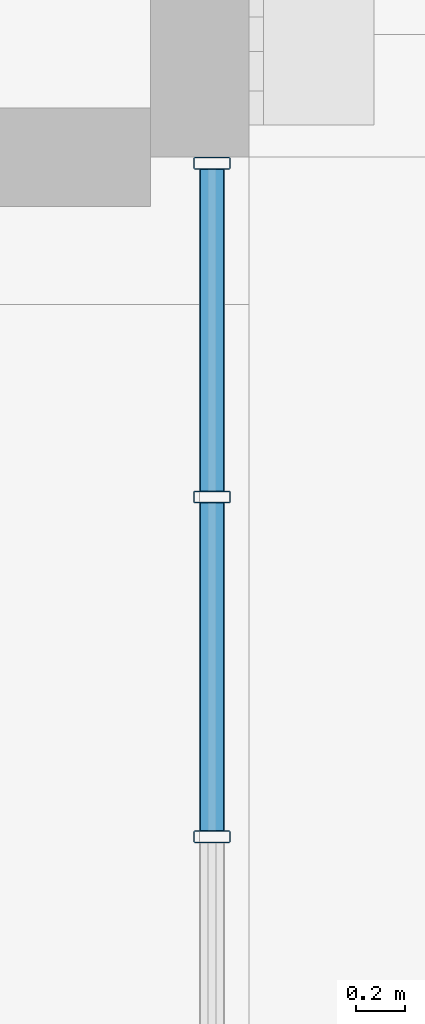
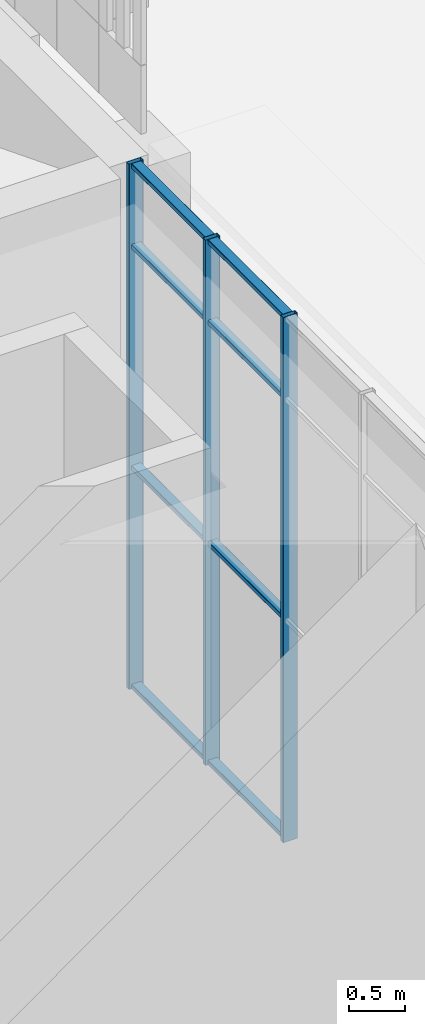
# One storey, part 16 of 125: 11 members, 1 element without a shape of its own.
"""IFC4 building model written with IfcOpenShell, lengths in metres."""

from ifc_helpers import new_model, si_unit, direction, frame, origin, origin_2d, place, context, subcontext, project, spatial, hollow_rectangle, extrude, material, material_profile, profile_set, type_object, element, aggregate, save


model = new_model("IFC4")

# Units and contexts
model_context = context("Model", 3, precision=1e-05, world=origin(), true_north=direction((0.0, 1.0)))
body_context = subcontext(model_context, "Body", "Model", "MODEL_VIEW")
ifc_project = project(units=[si_unit("LENGTHUNIT", "METRE"), si_unit("AREAUNIT", "SQUARE_METRE"), si_unit("VOLUMEUNIT", "CUBIC_METRE"), si_unit("PLANEANGLEUNIT", "RADIAN"), si_unit("MASSUNIT", "GRAM", prefix="KILO")], contexts=[model_context])

# Site, building, storey
site_placement = place(None, origin())
site = spatial("IfcSite", under=ifc_project, at=site_placement, CompositionType="ELEMENT")
building_placement = place(site_placement, origin())
building = spatial("IfcBuilding", under=site, at=building_placement, Name="Sun Court Science Centre", CompositionType="ELEMENT")
storey_placement = place(building_placement, origin())
storey = spatial("IfcBuildingStorey", under=building, at=storey_placement, Name="L00", CompositionType="ELEMENT", Elevation=0.0)

# Curtain wall, members
ifc_material_1 = material(Name="Aluminium EN AW-6063 T6", Category="aluminium")
curtain_wall_type = type_object("IfcCurtainWallType", Name="Foyer curtain wall 1500", PredefinedType="NOTDEFINED", material=ifc_material_1)
curtain_wall_placement = place(storey_placement, origin())
curtain_wall = element("IfcCurtainWall", 1, at=curtain_wall_placement, inside=storey, type_object=curtain_wall_type, Name="Curtain wall V3 E L00 01", PredefinedType="NOTDEFINED")
ifc_material_2 = material(Name="Aluminium EN AW-6063 T6", Category="aluminium")
ifc_material_profile_1 = material_profile(ifc_material_2, hollow_rectangle(XDim=0.050048828125, YDim=0.14990234375, WallThickness=0.00390625, InnerFilletRadius=0.00390625, OuterFilletRadius=0.006103515625, at=origin_2d()), Name="AL 50x150x4")
ifc_profile_set_1 = profile_set([ifc_material_profile_1], Name="Aluminium EN AW-6063 T6")
member_type_1 = type_object("IfcMemberType", Name="Curtain wall mullion AL 50x150", PredefinedType="MULLION", material=ifc_profile_set_1)
member_1_placement = place(storey_placement, frame((23.85009765625, 51.2333984375, 0.0), z_axis=(0.0, 0.0, 1.0), x_axis=(0.0, -1.0, 0.0)))
member_1 = element("IfcMember", 2, at=member_1_placement, type_object=member_type_1, Name="CW1-01 mullion 3", PredefinedType="MULLION", context=body_context, shape_type="SweptSolid", body=[
    extrude(hollow_rectangle(XDim=0.050048828125, YDim=0.14990234375, WallThickness=0.00390625, InnerFilletRadius=0.00390625, OuterFilletRadius=0.006103515625, at=origin_2d()), origin(), (0.0, 0.0, 1.0), 5.699951171875),
])
member_2_placement = place(storey_placement, frame((23.85009765625, 52.61669921875, 0.0), z_axis=(0.0, 0.0, 1.0), x_axis=(0.0, -1.0, 0.0)))
member_2 = element("IfcMember", 3, at=member_2_placement, type_object=member_type_1, Name="CW1-01 mullion 2", PredefinedType="MULLION", context=body_context, shape_type="SweptSolid", body=[
    extrude(hollow_rectangle(XDim=0.050048828125, YDim=0.14990234375, WallThickness=0.00390625, InnerFilletRadius=0.00390625, OuterFilletRadius=0.006103515625, at=origin_2d()), origin(), (0.0, 0.0, 1.0), 5.699951171875),
])
member_3_placement = place(storey_placement, frame((23.85009765625, 53.97509765625, 0.0), z_axis=(0.0, 0.0, 1.0), x_axis=(0.0, -1.0, 0.0)))
member_3 = element("IfcMember", 4, at=member_3_placement, type_object=member_type_1, Name="CW1-01 mullion 1", PredefinedType="MULLION", context=body_context, shape_type="SweptSolid", body=[
    extrude(hollow_rectangle(XDim=0.050048828125, YDim=0.14990234375, WallThickness=0.00390625, InnerFilletRadius=0.00390625, OuterFilletRadius=0.006103515625, at=origin_2d()), origin(), (0.0, 0.0, 1.0), 5.699951171875),
])
ifc_material_3 = material(Name="Aluminium EN AW-6063 T6", Category="aluminium")
ifc_material_profile_2 = material_profile(ifc_material_3, hollow_rectangle(XDim=0.050048828125, YDim=0.10009765625, WallThickness=0.00390625, InnerFilletRadius=0.00390625, OuterFilletRadius=0.006103515625, at=origin_2d()), Name="AL 50x100x4")
ifc_profile_set_2 = profile_set([ifc_material_profile_2], Name="Aluminium EN AW-6063 T6")
member_type_2 = type_object("IfcMemberType", Name="Curtain wall transom AL 50x100", PredefinedType="USERDEFINED", material=ifc_profile_set_2)
member_4_placement = place(storey_placement, frame((23.85009765625, 52.591552734375, 0.02490234375), z_axis=(0.0, -1.0, 0.0), x_axis=(0.0, 0.0, 1.0)))
member_4 = element("IfcMember", 5, at=member_4_placement, type_object=member_type_2, Name="CW1-01 transom 2.1", ObjectType="TRANSOM", PredefinedType="USERDEFINED", context=body_context, shape_type="SweptSolid", body=[
    extrude(hollow_rectangle(XDim=0.050048828125, YDim=0.10009765625, WallThickness=0.00390625, InnerFilletRadius=0.00390625, OuterFilletRadius=0.006103515625, at=origin_2d()), origin(), (0.0, 0.0, 1.0), 1.333251953125),
])
member_5_placement = place(storey_placement, frame((23.85009765625, 53.949951171875, 0.02490234375), z_axis=(0.0, -1.0, 0.0), x_axis=(0.0, 0.0, 1.0)))
member_5 = element("IfcMember", 6, at=member_5_placement, type_object=member_type_2, Name="CW1-01 transom 1.1", ObjectType="TRANSOM", PredefinedType="USERDEFINED", context=body_context, shape_type="SweptSolid", body=[
    extrude(hollow_rectangle(XDim=0.050048828125, YDim=0.10009765625, WallThickness=0.00390625, InnerFilletRadius=0.00390625, OuterFilletRadius=0.006103515625, at=origin_2d()), origin(), (0.0, 0.0, 1.0), 1.308349609375),
])
member_6_placement = place(storey_placement, frame((23.85009765625, 52.591552734375, 2.39990234375), z_axis=(0.0, -1.0, 0.0), x_axis=(0.0, 0.0, 1.0)))
member_6 = element("IfcMember", 7, at=member_6_placement, type_object=member_type_2, Name="CW1-01 transom 2.2", ObjectType="TRANSOM", PredefinedType="USERDEFINED", context=body_context, shape_type="SweptSolid", body=[
    extrude(hollow_rectangle(XDim=0.050048828125, YDim=0.10009765625, WallThickness=0.00390625, InnerFilletRadius=0.00390625, OuterFilletRadius=0.006103515625, at=origin_2d()), origin(), (0.0, 0.0, 1.0), 1.333251953125),
])
member_7_placement = place(storey_placement, frame((23.85009765625, 53.949951171875, 2.39990234375), z_axis=(0.0, -1.0, 0.0), x_axis=(0.0, 0.0, 1.0)))
member_7 = element("IfcMember", 8, at=member_7_placement, type_object=member_type_2, Name="CW1-01 transom 1.2", ObjectType="TRANSOM", PredefinedType="USERDEFINED", context=body_context, shape_type="SweptSolid", body=[
    extrude(hollow_rectangle(XDim=0.050048828125, YDim=0.10009765625, WallThickness=0.00390625, InnerFilletRadius=0.00390625, OuterFilletRadius=0.006103515625, at=origin_2d()), origin(), (0.0, 0.0, 1.0), 1.308349609375),
])
member_8_placement = place(storey_placement, frame((23.85009765625, 52.591552734375, 4.800048828125), z_axis=(0.0, -1.0, 0.0), x_axis=(0.0, 0.0, 1.0)))
member_8 = element("IfcMember", 9, at=member_8_placement, type_object=member_type_2, Name="CW1-01 transom 2.3", ObjectType="TRANSOM", PredefinedType="USERDEFINED", context=body_context, shape_type="SweptSolid", body=[
    extrude(hollow_rectangle(XDim=0.050048828125, YDim=0.10009765625, WallThickness=0.00390625, InnerFilletRadius=0.00390625, OuterFilletRadius=0.006103515625, at=origin_2d()), origin(), (0.0, 0.0, 1.0), 1.333251953125),
])
member_9_placement = place(storey_placement, frame((23.85009765625, 53.949951171875, 4.800048828125), z_axis=(0.0, -1.0, 0.0), x_axis=(0.0, 0.0, 1.0)))
member_9 = element("IfcMember", 10, at=member_9_placement, type_object=member_type_2, Name="CW1-01 transom 1.3", ObjectType="TRANSOM", PredefinedType="USERDEFINED", context=body_context, shape_type="SweptSolid", body=[
    extrude(hollow_rectangle(XDim=0.050048828125, YDim=0.10009765625, WallThickness=0.00390625, InnerFilletRadius=0.00390625, OuterFilletRadius=0.006103515625, at=origin_2d()), origin(), (0.0, 0.0, 1.0), 1.308349609375),
])
member_10_placement = place(storey_placement, frame((23.85009765625, 52.591552734375, 5.675048828125), z_axis=(0.0, -1.0, 0.0), x_axis=(0.0, 0.0, 1.0)))
member_10 = element("IfcMember", 11, at=member_10_placement, type_object=member_type_2, Name="CW1-01 transom 2.4", ObjectType="TRANSOM", PredefinedType="USERDEFINED", context=body_context, shape_type="SweptSolid", body=[
    extrude(hollow_rectangle(XDim=0.050048828125, YDim=0.10009765625, WallThickness=0.00390625, InnerFilletRadius=0.00390625, OuterFilletRadius=0.006103515625, at=origin_2d()), origin(), (0.0, 0.0, 1.0), 1.333251953125),
])
member_11_placement = place(storey_placement, frame((23.85009765625, 53.949951171875, 5.675048828125), z_axis=(0.0, -1.0, 0.0), x_axis=(0.0, 0.0, 1.0)))
member_11 = element("IfcMember", 12, at=member_11_placement, type_object=member_type_2, Name="CW1-01 transom 1.4", ObjectType="TRANSOM", PredefinedType="USERDEFINED", context=body_context, shape_type="SweptSolid", body=[
    extrude(hollow_rectangle(XDim=0.050048828125, YDim=0.10009765625, WallThickness=0.00390625, InnerFilletRadius=0.00390625, OuterFilletRadius=0.006103515625, at=origin_2d()), origin(), (0.0, 0.0, 1.0), 1.308349609375),
])
aggregate(curtain_wall, [member_1, member_2, member_3, member_4, member_5, member_6, member_7, member_8, member_9, member_10, member_11])

save(model, "model.ifc")
